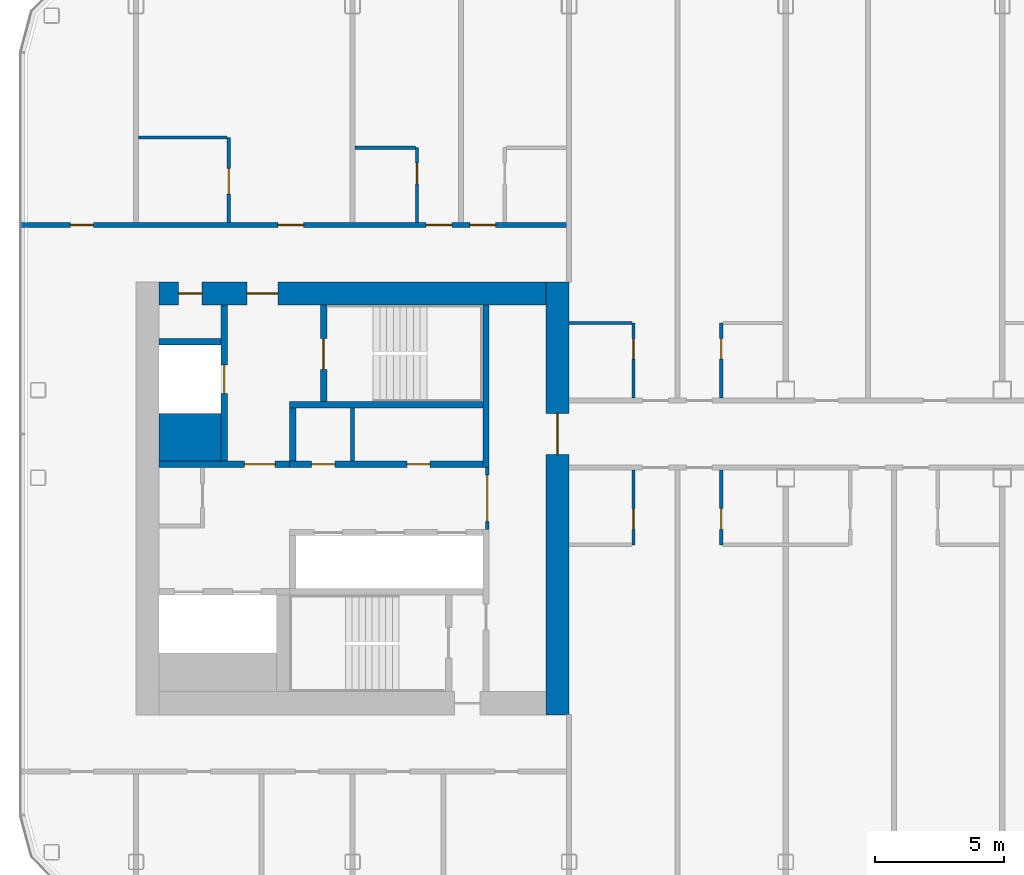
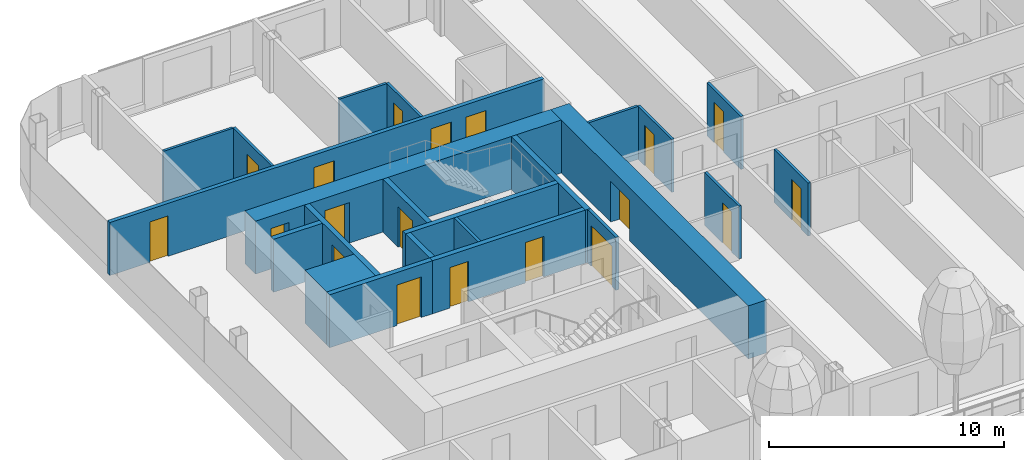
# One storey, part 12 of 29: 23 walls, 19 doors, 19 openings.
"""IFC4 building model written with IfcOpenShell, lengths in metres."""

import ifcopenshell
import ifcopenshell.guid

model = None  # the IFC model being written
_history = None  # IfcOwnerHistory: only IFC2X3 demands one
_inside = {}  # id of a spatial element -> (the spatial element, [elements in it])
_under = {}  # id of a project, library or spatial element -> (it, [spatial elements below it])
_declared = {}  # id of a project -> (the project, [libraries it declares])
_typed = {}  # id of a type object -> (the type object, [elements of that type])
_made_of = {}  # id of a material, layer set ... -> (it, [elements and type objects made of it])


def new_model(schema):
    """Start an empty IFC model of exactly this schema.

    Asked for "IFC4X3", IfcOpenShell would pick the latest addendum, in which some entities
    have other attributes; the version numbers below select the first issue.
    IFC2X3 requires an IfcOwnerHistory on every rooted entity: one is made here for all.
    """
    global model, _history
    if schema == "IFC4X3":
        model = ifcopenshell.file(schema_version=(4, 3, 0, 0))
    else:
        model = ifcopenshell.file(schema=schema)
    _inside.clear()
    _under.clear()
    _declared.clear()
    _typed.clear()
    _made_of.clear()
    _history = None
    if model.schema == "IFC2X3":
        org = make("IfcOrganization", Name="unknown")
        user = make(
            "IfcPersonAndOrganization",
            ThePerson=make("IfcPerson", FamilyName="unknown"),
            TheOrganization=org,
        )
        app = make(
            "IfcApplication",
            ApplicationDeveloper=org,
            Version="unknown",
            ApplicationFullName="unknown",
            ApplicationIdentifier="unknown",
        )
        _history = make(
            "IfcOwnerHistory",
            OwningUser=user,
            OwningApplication=app,
            ChangeAction="ADDED",
            CreationDate=0,
        )
    return model


def make(cls, **values):
    """One entity of the class cls with the attributes given. An attribute that is None is left unset."""
    return model.create_entity(
        cls, **{name: value for name, value in values.items() if value is not None}
    )


def rooted(cls, **values):
    """An entity with a GlobalId (a new one), such as an element, a storey or a relation."""
    return make(cls, GlobalId=ifcopenshell.guid.new(), OwnerHistory=_history, **values)


def si_unit(unit_type, name, prefix=None):
    """IfcSIUnit, for example si_unit("LENGTHUNIT", "METRE", prefix="MILLI")."""
    return make("IfcSIUnit", UnitType=unit_type, Prefix=prefix, Name=name)


def assignment(units):
    """IfcUnitAssignment: the units of a project."""
    return None if units is None else make("IfcUnitAssignment", Units=units)


def point(xyz):
    """IfcCartesianPoint."""
    return None if xyz is None else make("IfcCartesianPoint", Coordinates=xyz)


def direction(xyz):
    """IfcDirection."""
    return None if xyz is None else make("IfcDirection", DirectionRatios=xyz)


def frame(location, z_axis=None, x_axis=None):
    """IfcAxis2Placement3D, a coordinate frame: its origin and axes. An axis left out is left unset."""
    return make(
        "IfcAxis2Placement3D",
        Location=point(location),
        Axis=direction(z_axis),
        RefDirection=direction(x_axis),
    )


def frame_2d(location, x_axis=None):
    """IfcAxis2Placement2D, a coordinate frame in the plane: its origin and x axis."""
    return make(
        "IfcAxis2Placement2D", Location=point(location), RefDirection=direction(x_axis)
    )


def origin():
    """The frame at (0, 0, 0) with its axes left unset."""
    return frame((0.0, 0.0, 0.0))


def place(relative_to, where):
    """IfcLocalPlacement: puts the frame where relative to a parent placement (None: the world)."""
    return make(
        "IfcLocalPlacement", PlacementRelTo=relative_to, RelativePlacement=where
    )


def context(
    kind, dimensions, precision=None, world=None, true_north=None, identifier=None
):
    """IfcGeometricRepresentationContext, for example the 3D "Model" context."""
    return make(
        "IfcGeometricRepresentationContext",
        ContextIdentifier=identifier,
        ContextType=kind,
        CoordinateSpaceDimension=dimensions,
        Precision=precision,
        WorldCoordinateSystem=world,
        TrueNorth=true_north,
    )


def subcontext(parent, identifier, kind, view, scale=None):
    """IfcGeometricRepresentationSubContext, for example "Body" below "Model"."""
    return make(
        "IfcGeometricRepresentationSubContext",
        ContextIdentifier=identifier,
        ContextType=kind,
        ParentContext=parent,
        TargetScale=scale,
        TargetView=view,
    )


def project(units=None, contexts=None):
    """IfcProject with its units and contexts."""
    return rooted(
        "IfcProject",
        Name="project",
        RepresentationContexts=contexts,
        UnitsInContext=assignment(units),
    )


def spatial(cls, under=None, at=None, **own):
    """A site, building, storey or space (cls), placed at a placement, below another one or the project."""
    s = rooted(cls, ObjectPlacement=at, **own)
    if under is not None:
        _under.setdefault(under.id(), (under, []))[1].append(s)
    return s


def profile(cls, at=None, kind="AREA", **sizes):
    """A parametric profile (cls). Its sizes go by their IFC names, for example OverallWidth=200.0."""
    return make(cls, ProfileType=kind, Position=at, **sizes)


def rectangle(**sizes):
    """IfcRectangleProfileDef."""
    return profile("IfcRectangleProfileDef", **sizes)


def extrude(swept, where, along, depth):
    """IfcExtrudedAreaSolid: the profile swept, set in the frame where, extruded along a direction by depth."""
    return make(
        "IfcExtrudedAreaSolid",
        SweptArea=swept,
        Position=where,
        ExtrudedDirection=direction(along),
        Depth=depth,
    )


def shape(context_of_items, identifier, shape_type, items):
    """IfcShapeRepresentation: the items that make up one representation, for example the "Body"."""
    return make(
        "IfcShapeRepresentation",
        ContextOfItems=context_of_items,
        RepresentationIdentifier=identifier,
        RepresentationType=shape_type,
        Items=items,
    )


def material(Name=None, Category=None):
    """IfcMaterial."""
    return make("IfcMaterial", Name=Name, Category=Category)


def layer(
    of_material, thickness, ventilated=None, Name=None, Category=None, Priority=None
):
    """IfcMaterialLayer: one layer of a wall or slab, of a material (None: an air gap)."""
    return make(
        "IfcMaterialLayer",
        Material=of_material,
        LayerThickness=thickness,
        IsVentilated=ventilated,
        Name=Name,
        Category=Category,
        Priority=Priority,
    )


def layer_set(layers, Name=None):
    """IfcMaterialLayerSet."""
    return make("IfcMaterialLayerSet", MaterialLayers=layers, LayerSetName=Name)


def made_of(thing, what):
    """Note that an element or type object is made of a material, layer set ...; save() writes the relation."""
    if what is not None:
        _made_of.setdefault(what.id(), (what, []))[1].append(thing)
    return thing


def type_object(cls, material=None, **own):
    """A type object (cls), such as IfcWallType, which elements share."""
    return made_of(rooted(cls, **own), material)


def element(
    cls,
    number,
    at=None,
    inside=None,
    cuts=None,
    type_object=None,
    material=None,
    context=None,
    identifier="Body",
    shape_type=None,
    held_by="IfcProductDefinitionShape",
    body=None,
    shapes=None,
    **own,
):
    """One element of the class cls, such as IfcWall. Its Tag is "e" and its number.

    at: its placement. inside: the storey or other place that contains it. cuts: it is an
    opening in that element (IfcRelVoidsElement). A single representation is given by context,
    identifier, shape_type and body (its items); several are given by shapes. held_by: the class
    of the entity that holds the representations. save() writes the other relations.
    """
    e = rooted(cls, Tag="e%d" % number, ObjectPlacement=at, **own)
    if body is not None:
        shapes = [shape(context, identifier, shape_type, body)]
    if shapes is not None:
        e.Representation = make(held_by, Representations=shapes)
    if inside is not None:
        _inside.setdefault(inside.id(), (inside, []))[1].append(e)
    if cuts is not None:
        rooted(
            "IfcRelVoidsElement", RelatingBuildingElement=cuts, RelatedOpeningElement=e
        )
    if type_object is not None:
        _typed.setdefault(type_object.id(), (type_object, []))[1].append(e)
    return made_of(e, material)


def fill(opening, filler):
    """IfcRelFillsElement: the door or window that sits in an opening."""
    return rooted(
        "IfcRelFillsElement",
        RelatingOpeningElement=opening,
        RelatedBuildingElement=filler,
    )


def aggregate(whole, parts):
    """IfcRelAggregates: a whole, such as a stair, and the parts it consists of."""
    return rooted("IfcRelAggregates", RelatingObject=whole, RelatedObjects=parts)


def save(model, path):
    """Write the relations noted so far, then the file.

    IfcRelAggregates (storeys below a building ...), IfcRelContainedInSpatialStructure (elements
    in a storey), IfcRelDefinesByType, IfcRelAssociatesMaterial and IfcRelDeclares: one each for
    every whole, place, type object, material and project.
    """
    for whole, parts in _under.values():
        aggregate(whole, parts)
    for where, things in _inside.values():
        rooted(
            "IfcRelContainedInSpatialStructure",
            RelatedElements=things,
            RelatingStructure=where,
        )
    for kind, things in _typed.values():
        rooted("IfcRelDefinesByType", RelatedObjects=things, RelatingType=kind)
    for what, things in _made_of.values():
        rooted("IfcRelAssociatesMaterial", RelatedObjects=things, RelatingMaterial=what)
    for by, libraries in _declared.values():
        rooted("IfcRelDeclares", RelatingContext=by, RelatedDefinitions=libraries)
    model.write(path)


model = new_model("IFC4")

# Units and contexts
model_context = context("Model", 3, precision=1e-05, world=origin(), true_north=direction((0.0, 1.0)))
body_context = subcontext(model_context, "Body", "Model", "MODEL_VIEW")
ifc_project = project(units=[si_unit("LENGTHUNIT", "METRE"), si_unit("AREAUNIT", "SQUARE_METRE"), si_unit("VOLUMEUNIT", "CUBIC_METRE"), si_unit("PLANEANGLEUNIT", "RADIAN"), si_unit("MASSUNIT", "GRAM", prefix="KILO")], contexts=[model_context])

# Site, building, storey
site_placement = place(None, origin())
site = spatial("IfcSite", under=ifc_project, at=site_placement, CompositionType="ELEMENT")
building_placement = place(site_placement, origin())
building = spatial("IfcBuilding", under=site, at=building_placement, Name="Hakoniwa Tower and Hamabe Station Hall", CompositionType="ELEMENT")
storey_placement = place(building_placement, frame((0.0, 0.0, 205.800048828125)))
storey = spatial("IfcBuildingStorey", under=building, at=storey_placement, Name="L58", CompositionType="ELEMENT", Elevation=205.800048828125)

# Walls
ifc_material_1 = material(Name="Gypsum board partition", Category="gypsum")
ifc_layer_1 = layer(ifc_material_1, 0.125)
ifc_layer_set_1 = layer_set([ifc_layer_1], Name="Bathroom Partition 125")
wall_type_1 = type_object("IfcWallType", Name="Bathroom Partition 125", PredefinedType="PARTITIONING", material=ifc_layer_set_1)
wall_1_placement = place(storey_placement, frame((-16.81005859375, 6.800048828125, 0.0), z_axis=(0.0, 0.0, 1.0), x_axis=(1.0, 0.0, 0.0)))
element("IfcWall", 1, at=wall_1_placement, inside=storey, type_object=wall_type_1, Name="GW-L58-010", PredefinedType="PARTITIONING", context=body_context, shape_type="SweptSolid", body=[
    extrude(rectangle(XDim=2.447509765625, YDim=0.125, at=frame_2d((1.2236328125, 0.0))), origin(), (0.0, 0.0, 1.0), 2.75),
])
wall_2_placement = place(storey_placement, frame((-25.10009765625, 13.60009765625, 0.0), z_axis=(0.0, 0.0, 1.0), x_axis=(1.0, 0.0, 0.0)))
element("IfcWall", 2, at=wall_2_placement, inside=storey, type_object=wall_type_1, Name="GW-L58-017", PredefinedType="PARTITIONING", context=body_context, shape_type="SweptSolid", body=[
    extrude(rectangle(XDim=2.337646484375, YDim=0.125, at=frame_2d((1.1689453125, 0.0))), origin(), (0.0, 0.0, 1.0), 2.75),
])
wall_3_placement = place(storey_placement, frame((-33.5, 14.0, 0.0), z_axis=(0.0, 0.0, 1.0), x_axis=(1.0, 0.0, 0.0)))
element("IfcWall", 3, at=wall_3_placement, inside=storey, type_object=wall_type_1, Name="GW-L58-019", PredefinedType="PARTITIONING", context=body_context, shape_type="SweptSolid", body=[
    extrude(rectangle(XDim=3.4375, YDim=0.125, at=frame_2d((1.71875, 0.0))), origin(), (0.0, 0.0, 1.0), 2.75),
])

# Wall, opening, door
wall_4_placement = place(storey_placement, frame((-30.0, 10.699951171875, 0.0), z_axis=(0.0, 0.0, 1.0), x_axis=(0.0, 1.0, 0.0)))
wall_4 = element("IfcWall", 4, at=wall_4_placement, inside=storey, type_object=wall_type_1, Name="GW-L58-022", PredefinedType="PARTITIONING", context=body_context, shape_type="SweptSolid", body=[
    extrude(rectangle(XDim=3.300048828125, YDim=0.125, at=frame_2d((1.64990234375, 0.0))), origin(), (0.0, 0.0, 1.0), 2.75),
])
opening_1_placement = place(wall_4_placement, frame((1.10009765625, 0.0, 0.0)))
opening_1 = element("IfcOpeningElement", 5, at=opening_1_placement, cuts=wall_4, Name="Opening GD-G4B1-33", PredefinedType="OPENING", context=body_context, shape_type="SweptSolid", body=[
    extrude(rectangle(XDim=1.0, YDim=2.10009765625, at=frame_2d((0.5, 1.050048828125))), frame((0.0, 0.072509765625, 0.0), z_axis=(0.0, -1.0, 0.0), x_axis=(1.0, 0.0, 0.0)), (0.0, 0.0, 1.0), 0.14501953125),
])
ifc_material_2 = material(Name="Timber door leaf", Category="wood")
door_type_1 = type_object("IfcDoorType", Name="Accessible Bathroom Door 1000", OperationType="SINGLE_SWING_LEFT", PredefinedType="DOOR", material=ifc_material_2)
door_1_placement = place(opening_1_placement, origin())
door_1 = element("IfcDoor", 6, at=door_1_placement, inside=storey, type_object=door_type_1, Name="Door GD-G4B1-33", OperationType="SINGLE_SWING_RIGHT", OverallHeight=2.10009765625, OverallWidth=1.0, PredefinedType="DOOR", context=body_context, shape_type="SweptSolid", body=[
    extrude(rectangle(XDim=1.0, YDim=2.10009765625, at=frame_2d((0.5, 1.050048828125))), frame((0.0, 0.02490234375, 0.0), z_axis=(0.0, -1.0, 0.0), x_axis=(1.0, 0.0, 0.0)), (0.0, 0.0, 1.0), 0.050048828125),
])
fill(opening_1, door_1)

wall_5_placement = place(storey_placement, frame((-22.699951171875, 10.699951171875, 0.0), z_axis=(0.0, 0.0, 1.0), x_axis=(0.0, 1.0, 0.0)))
wall_5 = element("IfcWall", 7, at=wall_5_placement, inside=storey, type_object=wall_type_1, Name="GW-L58-026", PredefinedType="PARTITIONING", context=body_context, shape_type="SweptSolid", body=[
    extrude(rectangle(XDim=2.900146484375, YDim=0.125, at=frame_2d((1.4501953125, 0.0))), origin(), (0.0, 0.0, 1.0), 2.75),
])
opening_2_placement = place(wall_5_placement, frame((1.5, 0.0, 0.0)))
opening_2 = element("IfcOpeningElement", 8, at=opening_2_placement, cuts=wall_5, Name="Opening GD-G4B1-34", PredefinedType="OPENING", context=body_context, shape_type="SweptSolid", body=[
    extrude(rectangle(XDim=0.800048828125, YDim=2.10009765625, at=frame_2d((0.39990234375, 1.050048828125))), frame((0.0, 0.072509765625, 0.0), z_axis=(0.0, -1.0, 0.0), x_axis=(1.0, 0.0, 0.0)), (0.0, 0.0, 1.0), 0.14501953125),
])
ifc_material_3 = material(Name="Timber door leaf", Category="wood")
door_type_2 = type_object("IfcDoorType", Name="Bathroom Door 800", OperationType="SINGLE_SWING_LEFT", PredefinedType="DOOR", material=ifc_material_3)
door_2_placement = place(opening_2_placement, origin())
door_2 = element("IfcDoor", 9, at=door_2_placement, inside=storey, type_object=door_type_2, Name="Door GD-G4B1-34", OperationType="SINGLE_SWING_LEFT", OverallHeight=2.10009765625, OverallWidth=0.800048828125, PredefinedType="DOOR", context=body_context, shape_type="SweptSolid", body=[
    extrude(rectangle(XDim=0.800048828125, YDim=2.10009765625, at=frame_2d((0.39990234375, 1.050048828125))), frame((0.0, 0.02490234375, 0.0), z_axis=(0.0, -1.0, 0.0), x_axis=(1.0, 0.0, 0.0)), (0.0, 0.0, 1.0), 0.050048828125),
])
fill(opening_2, door_2)

wall_6_placement = place(storey_placement, frame((-14.300048828125, -1.800048828125, 0.0), z_axis=(0.0, 0.0, 1.0), x_axis=(0.0, 1.0, 0.0)))
wall_6 = element("IfcWall", 10, at=wall_6_placement, inside=storey, type_object=wall_type_1, Name="GW-L58-032", PredefinedType="PARTITIONING", context=body_context, shape_type="SweptSolid", body=[
    extrude(rectangle(XDim=2.900146484375, YDim=0.125, at=frame_2d((1.4501953125, 0.0))), origin(), (0.0, 0.0, 1.0), 2.75),
])
opening_3_placement = place(wall_6_placement, frame((0.60009765625, 0.0, 0.0)))
opening_3 = element("IfcOpeningElement", 11, at=opening_3_placement, cuts=wall_6, Name="Opening GD-G4B1-36", PredefinedType="OPENING", context=body_context, shape_type="SweptSolid", body=[
    extrude(rectangle(XDim=0.800048828125, YDim=2.10009765625, at=frame_2d((0.39990234375, 1.050048828125))), frame((0.0, 0.072509765625, 0.0), z_axis=(0.0, -1.0, 0.0), x_axis=(1.0, 0.0, 0.0)), (0.0, 0.0, 1.0), 0.14501953125),
])
door_3_placement = place(opening_3_placement, origin())
door_3 = element("IfcDoor", 12, at=door_3_placement, inside=storey, type_object=door_type_2, Name="Door GD-G4B1-36", OperationType="SINGLE_SWING_RIGHT", OverallHeight=2.10009765625, OverallWidth=0.800048828125, PredefinedType="DOOR", context=body_context, shape_type="SweptSolid", body=[
    extrude(rectangle(XDim=0.800048828125, YDim=2.10009765625, at=frame_2d((0.39990234375, 1.050048828125))), frame((0.0, 0.02490234375, 0.0), z_axis=(0.0, -1.0, 0.0), x_axis=(1.0, 0.0, 0.0)), (0.0, 0.0, 1.0), 0.050048828125),
])
fill(opening_3, door_3)

wall_7_placement = place(storey_placement, frame((-14.300048828125, 3.89990234375, 0.0), z_axis=(0.0, 0.0, 1.0), x_axis=(0.0, 1.0, 0.0)))
wall_7 = element("IfcWall", 13, at=wall_7_placement, inside=storey, type_object=wall_type_1, Name="GW-L58-033", PredefinedType="PARTITIONING", context=body_context, shape_type="SweptSolid", body=[
    extrude(rectangle(XDim=2.900146484375, YDim=0.125, at=frame_2d((1.4501953125, 0.0))), origin(), (0.0, 0.0, 1.0), 2.75),
])
opening_4_placement = place(wall_7_placement, frame((1.5, 0.0, 0.0)))
opening_4 = element("IfcOpeningElement", 14, at=opening_4_placement, cuts=wall_7, Name="Opening GD-G4B1-37", PredefinedType="OPENING", context=body_context, shape_type="SweptSolid", body=[
    extrude(rectangle(XDim=0.800048828125, YDim=2.10009765625, at=frame_2d((0.39990234375, 1.050048828125))), frame((0.0, 0.072509765625, 0.0), z_axis=(0.0, -1.0, 0.0), x_axis=(1.0, 0.0, 0.0)), (0.0, 0.0, 1.0), 0.14501953125),
])
door_4_placement = place(opening_4_placement, origin())
door_4 = element("IfcDoor", 15, at=door_4_placement, inside=storey, type_object=door_type_2, Name="Door GD-G4B1-37", OperationType="SINGLE_SWING_LEFT", OverallHeight=2.10009765625, OverallWidth=0.800048828125, PredefinedType="DOOR", context=body_context, shape_type="SweptSolid", body=[
    extrude(rectangle(XDim=0.800048828125, YDim=2.10009765625, at=frame_2d((0.39990234375, 1.050048828125))), frame((0.0, 0.02490234375, 0.0), z_axis=(0.0, -1.0, 0.0), x_axis=(1.0, 0.0, 0.0)), (0.0, 0.0, 1.0), 0.050048828125),
])
fill(opening_4, door_4)

wall_8_placement = place(storey_placement, frame((-10.89990234375, -1.800048828125, 0.0), z_axis=(0.0, 0.0, 1.0), x_axis=(0.0, 1.0, 0.0)))
wall_8 = element("IfcWall", 16, at=wall_8_placement, inside=storey, type_object=wall_type_1, Name="GW-L58-036", PredefinedType="PARTITIONING", context=body_context, shape_type="SweptSolid", body=[
    extrude(rectangle(XDim=2.900146484375, YDim=0.125, at=frame_2d((1.4501953125, 0.0))), origin(), (0.0, 0.0, 1.0), 2.75),
])
opening_5_placement = place(wall_8_placement, frame((0.60009765625, 0.0, 0.0)))
opening_5 = element("IfcOpeningElement", 17, at=opening_5_placement, cuts=wall_8, Name="Opening GD-G4B1-38", PredefinedType="OPENING", context=body_context, shape_type="SweptSolid", body=[
    extrude(rectangle(XDim=0.800048828125, YDim=2.10009765625, at=frame_2d((0.39990234375, 1.050048828125))), frame((0.0, 0.072509765625, 0.0), z_axis=(0.0, -1.0, 0.0), x_axis=(1.0, 0.0, 0.0)), (0.0, 0.0, 1.0), 0.14501953125),
])
door_5_placement = place(opening_5_placement, origin())
door_5 = element("IfcDoor", 18, at=door_5_placement, inside=storey, type_object=door_type_2, Name="Door GD-G4B1-38", OperationType="SINGLE_SWING_LEFT", OverallHeight=2.10009765625, OverallWidth=0.800048828125, PredefinedType="DOOR", context=body_context, shape_type="SweptSolid", body=[
    extrude(rectangle(XDim=0.800048828125, YDim=2.10009765625, at=frame_2d((0.39990234375, 1.050048828125))), frame((0.0, 0.02490234375, 0.0), z_axis=(0.0, -1.0, 0.0), x_axis=(1.0, 0.0, 0.0)), (0.0, 0.0, 1.0), 0.050048828125),
])
fill(opening_5, door_5)

wall_9_placement = place(storey_placement, frame((-10.89990234375, 3.89990234375, 0.0), z_axis=(0.0, 0.0, 1.0), x_axis=(0.0, 1.0, 0.0)))
wall_9 = element("IfcWall", 19, at=wall_9_placement, inside=storey, type_object=wall_type_1, Name="GW-L58-037", PredefinedType="PARTITIONING", context=body_context, shape_type="SweptSolid", body=[
    extrude(rectangle(XDim=2.900146484375, YDim=0.125, at=frame_2d((1.4501953125, 0.0))), origin(), (0.0, 0.0, 1.0), 2.75),
])
opening_6_placement = place(wall_9_placement, frame((1.5, 0.0, 0.0)))
opening_6 = element("IfcOpeningElement", 20, at=opening_6_placement, cuts=wall_9, Name="Opening GD-G4B1-39", PredefinedType="OPENING", context=body_context, shape_type="SweptSolid", body=[
    extrude(rectangle(XDim=0.800048828125, YDim=2.10009765625, at=frame_2d((0.39990234375, 1.050048828125))), frame((0.0, 0.072509765625, 0.0), z_axis=(0.0, -1.0, 0.0), x_axis=(1.0, 0.0, 0.0)), (0.0, 0.0, 1.0), 0.14501953125),
])
door_6_placement = place(opening_6_placement, origin())
door_6 = element("IfcDoor", 21, at=door_6_placement, inside=storey, type_object=door_type_2, Name="Door GD-G4B1-39", OperationType="SINGLE_SWING_RIGHT", OverallHeight=2.10009765625, OverallWidth=0.800048828125, PredefinedType="DOOR", context=body_context, shape_type="SweptSolid", body=[
    extrude(rectangle(XDim=0.800048828125, YDim=2.10009765625, at=frame_2d((0.39990234375, 1.050048828125))), frame((0.0, 0.02490234375, 0.0), z_axis=(0.0, -1.0, 0.0), x_axis=(1.0, 0.0, 0.0)), (0.0, 0.0, 1.0), 0.050048828125),
])
fill(opening_6, door_6)

ifc_material_4 = material(Name="Gypsum board partition")
ifc_layer_2 = layer(ifc_material_4, 0.14990234375)
ifc_layer_set_2 = layer_set([ifc_layer_2], Name="CORE PARTITION 150 EI 60")
wall_type_2 = type_object("IfcWallType", Name="CORE PARTITION 150 EI 60", PredefinedType="PARTITIONING", material=ifc_layer_set_2)
wall_10_placement = place(storey_placement, frame((-19.97509765625, -1.199951171875, 0.0), z_axis=(0.0, 0.0, 1.0), x_axis=(0.0, 1.0, 0.0)))
wall_10 = element("IfcWall", 22, at=wall_10_placement, inside=storey, type_object=wall_type_2, Name="Core partition PL0 west", PredefinedType="PARTITIONING", context=body_context, shape_type="SweptSolid", body=[
    extrude(rectangle(XDim=2.39990234375, YDim=0.14990234375, at=frame_2d((1.199951171875, 0.0))), origin(), (0.0, 0.0, 1.0), 2.75),
])
opening_7_placement = place(wall_10_placement, frame((0.300048828125, 0.0, 0.0)))
opening_7 = element("IfcOpeningElement", 23, at=opening_7_placement, cuts=wall_10, Name="Opening CD-W-LP0-18", PredefinedType="OPENING", context=body_context, shape_type="SweptSolid", body=[
    extrude(rectangle(XDim=1.800048828125, YDim=2.10009765625, at=frame_2d((0.89990234375, 1.050048828125))), frame((0.0, 0.0849609375, 0.0), z_axis=(0.0, -1.0, 0.0), x_axis=(1.0, 0.0, 0.0)), (0.0, 0.0, 1.0), 0.169921875),
])
ifc_material_5 = material(Name="Steel fire door", Category="steel")
door_type_3 = type_object("IfcDoorType", Name="CORE DOOR 1800 FD60", OperationType="DOUBLE_DOOR_SINGLE_SWING", PredefinedType="DOOR", material=ifc_material_5)
door_7_placement = place(opening_7_placement, origin())
door_7 = element("IfcDoor", 24, at=door_7_placement, inside=storey, type_object=door_type_3, Name="Lift lobby partition door", OperationType="DOUBLE_DOOR_SINGLE_SWING", OverallHeight=2.10009765625, OverallWidth=1.800048828125, PredefinedType="DOOR", context=body_context, shape_type="SweptSolid", body=[
    extrude(rectangle(XDim=1.800048828125, YDim=2.10009765625, at=frame_2d((0.89990234375, 1.050048828125))), frame((0.0, 0.02490234375, 0.0), z_axis=(0.0, -1.0, 0.0), x_axis=(1.0, 0.0, 0.0)), (0.0, 0.0, 1.0), 0.050048828125),
])
fill(opening_7, door_7)

# Wall
wall_11_placement = place(storey_placement, frame((-25.199951171875, 1.449951171875, 0.0), z_axis=(0.0, 0.0, 1.0), x_axis=(0.0, 1.0, 0.0)))
element("IfcWall", 25, at=wall_11_placement, inside=storey, type_object=wall_type_2, Name="Core partition PFLR0 west", PredefinedType="PARTITIONING", context=body_context, shape_type="SweptSolid", body=[
    extrude(rectangle(XDim=2.050048828125, YDim=0.14990234375, at=frame_2d((1.02490234375, 0.0))), origin(), (0.0, 0.0, 1.0), 2.75),
])

# Wall, opening, door
ifc_material_6 = material(Name="Concrete C60", Category="concrete")
ifc_layer_3 = layer(ifc_material_6, 0.89990234375)
ifc_layer_set_3 = layer_set([ifc_layer_3], Name="CORE WALL 900 C60")
wall_type_3 = type_object("IfcWallType", Name="CORE WALL 900 C60", PredefinedType="SHEAR", material=ifc_layer_set_3)
wall_12_placement = place(storey_placement, frame((-17.25, -8.39990234375, 0.0), z_axis=(0.0, 0.0, 1.0), x_axis=(0.0, 1.0, 0.0)))
wall_12 = element("IfcWall", 26, at=wall_12_placement, inside=storey, type_object=wall_type_3, Name="Core wall INNER west", PredefinedType="SHEAR", context=body_context, shape_type="SweptSolid", body=[
    extrude(rectangle(XDim=16.7998046875, YDim=0.89990234375, at=frame_2d((8.39990234375, 0.0))), origin(), (0.0, 0.0, 1.0), 2.75),
])
opening_8_placement = place(wall_12_placement, frame((10.10009765625, 0.0, 0.0)))
opening_8 = element("IfcOpeningElement", 27, at=opening_8_placement, cuts=wall_12, Name="Opening CD-W-IN1-16", PredefinedType="OPENING", context=body_context, shape_type="SweptSolid", body=[
    extrude(rectangle(XDim=1.60009765625, YDim=2.10009765625, at=frame_2d((0.800048828125, 1.050048828125))), frame((0.0, 0.4599609375, 0.0), z_axis=(0.0, -1.0, 0.0), x_axis=(1.0, 0.0, 0.0)), (0.0, 0.0, 1.0), 0.919921875),
])
ifc_material_7 = material(Name="Steel fire door", Category="steel")
door_type_4 = type_object("IfcDoorType", Name="CORE DOOR 1600 FD60", OperationType="DOUBLE_DOOR_SINGLE_SWING", PredefinedType="DOOR", material=ifc_material_7)
door_8_placement = place(opening_8_placement, origin())
door_8 = element("IfcDoor", 28, at=door_8_placement, inside=storey, type_object=door_type_4, Name="Lift lobby door", OperationType="DOUBLE_DOOR_SINGLE_SWING", OverallHeight=2.10009765625, OverallWidth=1.60009765625, PredefinedType="DOOR", context=body_context, shape_type="SweptSolid", body=[
    extrude(rectangle(XDim=1.60009765625, YDim=2.10009765625, at=frame_2d((0.800048828125, 1.050048828125))), frame((0.0, 0.02490234375, 0.0), z_axis=(0.0, -1.0, 0.0), x_axis=(1.0, 0.0, 0.0)), (0.0, 0.0, 1.0), 0.050048828125),
])
fill(opening_8, door_8)

# Wall, openings, doors
wall_13_placement = place(storey_placement, frame((-32.699951171875, 7.949951171875, 0.0), z_axis=(0.0, 0.0, 1.0), x_axis=(1.0, 0.0, 0.0)))
wall_13 = element("IfcWall", 29, at=wall_13_placement, inside=storey, type_object=wall_type_3, Name="Core wall NORTH west", PredefinedType="SHEAR", context=body_context, shape_type="SweptSolid", body=[
    extrude(rectangle(XDim=15.0, YDim=0.89990234375, at=frame_2d((7.5, 0.0))), origin(), (0.0, 0.0, 1.0), 2.75),
])
opening_9_placement = place(wall_13_placement, frame((3.39990234375, 0.0, 0.0)))
opening_9 = element("IfcOpeningElement", 30, at=opening_9_placement, cuts=wall_13, Name="Opening CD-W-FN1-12", PredefinedType="OPENING", context=body_context, shape_type="SweptSolid", body=[
    extrude(rectangle(XDim=1.199951171875, YDim=2.10009765625, at=frame_2d((0.60009765625, 1.050048828125))), frame((0.0, 0.4599609375, 0.0), z_axis=(0.0, -1.0, 0.0), x_axis=(1.0, 0.0, 0.0)), (0.0, 0.0, 1.0), 0.919921875),
])
opening_10_placement = place(wall_13_placement, frame((0.75, 0.0, 0.0)))
opening_10 = element("IfcOpeningElement", 31, at=opening_10_placement, cuts=wall_13, Name="Opening CD-W-FN2-9", PredefinedType="OPENING", context=body_context, shape_type="SweptSolid", body=[
    extrude(rectangle(XDim=0.89990234375, YDim=2.10009765625, at=frame_2d((0.449951171875, 1.050048828125))), frame((0.0, 0.4599609375, 0.0), z_axis=(0.0, -1.0, 0.0), x_axis=(1.0, 0.0, 0.0)), (0.0, 0.0, 1.0), 0.919921875),
])
ifc_material_8 = material(Name="Steel fire door", Category="steel")
door_type_5 = type_object("IfcDoorType", Name="CORE DOOR 1200 FD60", OperationType="DOUBLE_DOOR_SINGLE_SWING", PredefinedType="DOOR", material=ifc_material_8)
door_9_placement = place(opening_9_placement, origin())
door_9 = element("IfcDoor", 32, at=door_9_placement, inside=storey, type_object=door_type_5, Name="Stair vestibule door to the fire-fighting lobby", OperationType="DOUBLE_DOOR_SINGLE_SWING", OverallHeight=2.10009765625, OverallWidth=1.199951171875, PredefinedType="DOOR", context=body_context, shape_type="SweptSolid", body=[
    extrude(rectangle(XDim=1.199951171875, YDim=2.10009765625, at=frame_2d((0.60009765625, 1.050048828125))), frame((0.0, 0.02490234375, 0.0), z_axis=(0.0, -1.0, 0.0), x_axis=(1.0, 0.0, 0.0)), (0.0, 0.0, 1.0), 0.050048828125),
])
fill(opening_9, door_9)
ifc_material_9 = material(Name="Steel fire door", Category="steel")
door_type_6 = type_object("IfcDoorType", Name="CORE DOOR 900 FD30", OperationType="NOTDEFINED", PredefinedType="DOOR", material=ifc_material_9)
door_10_placement = place(opening_10_placement, origin())
door_10 = element("IfcDoor", 33, at=door_10_placement, inside=storey, type_object=door_type_6, Name="Riser access door", OperationType="SINGLE_SWING_RIGHT", OverallHeight=2.10009765625, OverallWidth=0.89990234375, PredefinedType="DOOR", context=body_context, shape_type="SweptSolid", body=[
    extrude(rectangle(XDim=0.89990234375, YDim=2.10009765625, at=frame_2d((0.449951171875, 1.050048828125))), frame((0.0, 0.02490234375, 0.0), z_axis=(0.0, -1.0, 0.0), x_axis=(1.0, 0.0, 0.0)), (0.0, 0.0, 1.0), 0.050048828125),
])
fill(opening_10, door_10)

# Walls
ifc_material_10 = material(Name="Concrete C60", Category="concrete")
ifc_layer_4 = layer(ifc_material_10, 1.85009765625)
ifc_layer_set_4 = layer_set([ifc_layer_4], Name="CORE WEB WALL 1850 C60")
wall_type_4 = type_object("IfcWallType", Name="CORE WEB WALL 1850 C60", PredefinedType="SHEAR", material=ifc_layer_set_4)
wall_14_placement = place(storey_placement, frame((-32.699951171875, 2.375, 0.0), z_axis=(0.0, 0.0, 1.0), x_axis=(1.0, 0.0, 0.0)))
element("IfcWall", 34, at=wall_14_placement, inside=storey, type_object=wall_type_4, Name="Core wall CA west", PredefinedType="SHEAR", context=body_context, shape_type="SweptSolid", body=[
    extrude(rectangle(XDim=2.39990234375, YDim=1.85009765625, at=frame_2d((1.199951171875, 0.0))), origin(), (0.0, 0.0, 1.0), 2.75),
])
ifc_material_11 = material(Name="Concrete C60", Category="concrete")
ifc_layer_5 = layer(ifc_material_11, 0.25)
ifc_layer_set_5 = layer_set([ifc_layer_5], Name="CORE WEB WALL 250 C60")
wall_type_5 = type_object("IfcWallType", Name="CORE WEB WALL 250 C60", PredefinedType="SHEAR", material=ifc_layer_set_5)
wall_15_placement = place(storey_placement, frame((-20.02490234375, 1.199951171875, 0.0), z_axis=(0.0, 0.0, 1.0), x_axis=(0.0, 1.0, 0.0)))
element("IfcWall", 35, at=wall_15_placement, inside=storey, type_object=wall_type_5, Name="Core wall W1N west", PredefinedType="SHEAR", context=body_context, shape_type="SweptSolid", body=[
    extrude(rectangle(XDim=6.300048828125, YDim=0.25, at=frame_2d((3.14990234375, 0.0))), origin(), (0.0, 0.0, 1.0), 2.75),
])

# Wall, openings, doors
wall_16_placement = place(storey_placement, frame((-27.64990234375, 1.324951171875, 0.0), z_axis=(0.0, 0.0, 1.0), x_axis=(1.0, 0.0, 0.0)))
wall_16 = element("IfcWall", 36, at=wall_16_placement, inside=storey, type_object=wall_type_5, Name="Core wall NF west", PredefinedType="SHEAR", context=body_context, shape_type="SweptSolid", body=[
    extrude(rectangle(XDim=7.5, YDim=0.25, at=frame_2d((3.75, 0.0))), origin(), (0.0, 0.0, 1.0), 2.75),
])
opening_11_placement = place(wall_16_placement, frame((4.5625, 0.0, 0.0)))
opening_11 = element("IfcOpeningElement", 37, at=opening_11_placement, cuts=wall_16, Name="Opening CD-W-FRLR0-9", PredefinedType="OPENING", context=body_context, shape_type="SweptSolid", body=[
    extrude(rectangle(XDim=0.89990234375, YDim=2.10009765625, at=frame_2d((0.449951171875, 1.050048828125))), frame((0.0, 0.135009765625, 0.0), z_axis=(0.0, -1.0, 0.0), x_axis=(1.0, 0.0, 0.0)), (0.0, 0.0, 1.0), 0.27001953125),
])
opening_12_placement = place(wall_16_placement, frame((0.862548828125, 0.0, 0.0)))
opening_12 = element("IfcOpeningElement", 38, at=opening_12_placement, cuts=wall_16, Name="Opening CD-W-FRLR1-9", PredefinedType="OPENING", context=body_context, shape_type="SweptSolid", body=[
    extrude(rectangle(XDim=0.89990234375, YDim=2.10009765625, at=frame_2d((0.449951171875, 1.050048828125))), frame((0.0, 0.135009765625, 0.0), z_axis=(0.0, -1.0, 0.0), x_axis=(1.0, 0.0, 0.0)), (0.0, 0.0, 1.0), 0.27001953125),
])
door_11_placement = place(opening_11_placement, origin())
door_11 = element("IfcDoor", 39, at=door_11_placement, inside=storey, type_object=door_type_6, Name="Store room door", OperationType="SINGLE_SWING_RIGHT", OverallHeight=2.10009765625, OverallWidth=0.89990234375, PredefinedType="DOOR", context=body_context, shape_type="SweptSolid", body=[
    extrude(rectangle(XDim=0.89990234375, YDim=2.10009765625, at=frame_2d((0.449951171875, 1.050048828125))), frame((0.0, 0.02490234375, 0.0), z_axis=(0.0, -1.0, 0.0), x_axis=(1.0, 0.0, 0.0)), (0.0, 0.0, 1.0), 0.050048828125),
])
fill(opening_11, door_11)
door_12_placement = place(opening_12_placement, origin())
door_12 = element("IfcDoor", 40, at=door_12_placement, inside=storey, type_object=door_type_6, Name="Store room door", OperationType="SINGLE_SWING_LEFT", OverallHeight=2.10009765625, OverallWidth=0.89990234375, PredefinedType="DOOR", context=body_context, shape_type="SweptSolid", body=[
    extrude(rectangle(XDim=0.89990234375, YDim=2.10009765625, at=frame_2d((0.449951171875, 1.050048828125))), frame((0.0, 0.02490234375, 0.0), z_axis=(0.0, -1.0, 0.0), x_axis=(1.0, 0.0, 0.0)), (0.0, 0.0, 1.0), 0.050048828125),
])
fill(opening_12, door_12)

# Walls
wall_17_placement = place(storey_placement, frame((-27.52490234375, 1.449951171875, 0.0), z_axis=(0.0, 0.0, 1.0), x_axis=(0.0, 1.0, 0.0)))
element("IfcWall", 41, at=wall_17_placement, inside=storey, type_object=wall_type_5, Name="Core wall NE west", PredefinedType="SHEAR", context=body_context, shape_type="SweptSolid", body=[
    extrude(rectangle(XDim=2.050048828125, YDim=0.25, at=frame_2d((1.02490234375, 0.0))), origin(), (0.0, 0.0, 1.0), 2.75),
])
wall_18_placement = place(storey_placement, frame((-27.64990234375, 3.625, 0.0), z_axis=(0.0, 0.0, 1.0), x_axis=(1.0, 0.0, 0.0)))
element("IfcWall", 42, at=wall_18_placement, inside=storey, type_object=wall_type_5, Name="Core wall NR west", PredefinedType="SHEAR", context=body_context, shape_type="SweptSolid", body=[
    extrude(rectangle(XDim=7.5, YDim=0.25, at=frame_2d((3.75, 0.0))), origin(), (0.0, 0.0, 1.0), 2.75),
])

# Wall, opening, door
wall_19_placement = place(storey_placement, frame((-26.324951171875, 3.75, 0.0), z_axis=(0.0, 0.0, 1.0), x_axis=(0.0, 1.0, 0.0)))
wall_19 = element("IfcWall", 43, at=wall_19_placement, inside=storey, type_object=wall_type_5, Name="Core wall NSE west", PredefinedType="SHEAR", context=body_context, shape_type="SweptSolid", body=[
    extrude(rectangle(XDim=3.75, YDim=0.25, at=frame_2d((1.875, 0.0))), origin(), (0.0, 0.0, 1.0), 2.75),
])
opening_13_placement = place(wall_19_placement, frame((1.25, 0.0, 0.0)))
opening_13 = element("IfcOpeningElement", 44, at=opening_13_placement, cuts=wall_19, Name="Opening CD-W-SN-12", PredefinedType="OPENING", context=body_context, shape_type="SweptSolid", body=[
    extrude(rectangle(XDim=1.199951171875, YDim=2.10009765625, at=frame_2d((0.60009765625, 1.050048828125))), frame((0.0, 0.135009765625, 0.0), z_axis=(0.0, -1.0, 0.0), x_axis=(1.0, 0.0, 0.0)), (0.0, 0.0, 1.0), 0.27001953125),
])
door_13_placement = place(opening_13_placement, origin())
door_13 = element("IfcDoor", 45, at=door_13_placement, inside=storey, type_object=door_type_5, Name="Escape stair door", OperationType="DOUBLE_DOOR_SINGLE_SWING", OverallHeight=2.10009765625, OverallWidth=1.199951171875, PredefinedType="DOOR", context=body_context, shape_type="SweptSolid", body=[
    extrude(rectangle(XDim=1.199951171875, YDim=2.10009765625, at=frame_2d((0.60009765625, 1.050048828125))), frame((0.0, 0.02490234375, 0.0), z_axis=(0.0, -1.0, 0.0), x_axis=(1.0, 0.0, 0.0)), (0.0, 0.0, 1.0), 0.050048828125),
])
fill(opening_13, door_13)

wall_20_placement = place(storey_placement, frame((-32.699951171875, 1.324951171875, 0.0), z_axis=(0.0, 0.0, 1.0), x_axis=(1.0, 0.0, 0.0)))
wall_20 = element("IfcWall", 46, at=wall_20_placement, inside=storey, type_object=wall_type_5, Name="Core wall ELN west", PredefinedType="SHEAR", context=body_context, shape_type="SweptSolid", body=[
    extrude(rectangle(XDim=5.050048828125, YDim=0.25, at=frame_2d((2.52490234375, 0.0))), origin(), (0.0, 0.0, 1.0), 2.75),
])
opening_14_placement = place(wall_20_placement, frame((3.300048828125, 0.0, 0.0)))
opening_14 = element("IfcOpeningElement", 47, at=opening_14_placement, cuts=wall_20, Name="Opening CD-W-FL-12", PredefinedType="OPENING", context=body_context, shape_type="SweptSolid", body=[
    extrude(rectangle(XDim=1.199951171875, YDim=2.10009765625, at=frame_2d((0.60009765625, 1.050048828125))), frame((0.0, 0.135009765625, 0.0), z_axis=(0.0, -1.0, 0.0), x_axis=(1.0, 0.0, 0.0)), (0.0, 0.0, 1.0), 0.27001953125),
])
door_14_placement = place(opening_14_placement, origin())
door_14 = element("IfcDoor", 48, at=door_14_placement, inside=storey, type_object=door_type_5, Name="Stair vestibule door to the fire-fighting lobby", OperationType="DOUBLE_DOOR_SINGLE_SWING", OverallHeight=2.10009765625, OverallWidth=1.199951171875, PredefinedType="DOOR", context=body_context, shape_type="SweptSolid", body=[
    extrude(rectangle(XDim=1.199951171875, YDim=2.10009765625, at=frame_2d((0.60009765625, 1.050048828125))), frame((0.0, 0.02490234375, 0.0), z_axis=(0.0, -1.0, 0.0), x_axis=(1.0, 0.0, 0.0)), (0.0, 0.0, 1.0), 0.050048828125),
])
fill(opening_14, door_14)

wall_21_placement = place(storey_placement, frame((-30.175048828125, 1.449951171875, 0.0), z_axis=(0.0, 0.0, 1.0), x_axis=(0.0, 1.0, 0.0)))
wall_21 = element("IfcWall", 49, at=wall_21_placement, inside=storey, type_object=wall_type_5, Name="Core wall FFF west", PredefinedType="SHEAR", context=body_context, shape_type="SweptSolid", body=[
    extrude(rectangle(XDim=6.050048828125, YDim=0.25, at=frame_2d((3.02490234375, 0.0))), origin(), (0.0, 0.0, 1.0), 2.75),
])
opening_15_placement = place(wall_21_placement, frame((2.625, 0.0, 0.0)))
opening_15 = element("IfcOpeningElement", 50, at=opening_15_placement, cuts=wall_21, Name="Opening LD-FF1", PredefinedType="OPENING", context=body_context, shape_type="SweptSolid", body=[
    extrude(rectangle(XDim=1.10009765625, YDim=2.10009765625, at=frame_2d((0.550048828125, 1.050048828125))), frame((0.0, 0.135009765625, 0.0), z_axis=(0.0, -1.0, 0.0), x_axis=(1.0, 0.0, 0.0)), (0.0, 0.0, 1.0), 0.27001953125),
])
ifc_material_12 = material(Name="Stainless steel SUS304", Category="steel")
door_type_7 = type_object("IfcDoorType", Name="LIFT LANDING DOOR 1100 FD60", OperationType="DOUBLE_DOOR_SLIDING", PredefinedType="DOOR", material=ifc_material_12)
door_15_placement = place(opening_15_placement, origin())
door_15 = element("IfcDoor", 51, at=door_15_placement, inside=storey, type_object=door_type_7, Name="Lift landing door FF1 L58", OperationType="DOUBLE_DOOR_SLIDING", OverallHeight=2.10009765625, OverallWidth=1.10009765625, PredefinedType="DOOR", context=body_context, shape_type="SweptSolid", body=[
    extrude(rectangle(XDim=1.10009765625, YDim=2.10009765625, at=frame_2d((0.550048828125, 1.050048828125))), frame((0.0, 0.02490234375, 0.0), z_axis=(0.0, -1.0, 0.0), x_axis=(1.0, 0.0, 0.0)), (0.0, 0.0, 1.0), 0.050048828125),
])
fill(opening_15, door_15)

# Wall
wall_22_placement = place(storey_placement, frame((-32.699951171875, 6.074951171875, 0.0), z_axis=(0.0, 0.0, 1.0), x_axis=(1.0, 0.0, 0.0)))
element("IfcWall", 52, at=wall_22_placement, inside=storey, type_object=wall_type_5, Name="Core wall C2 west", PredefinedType="SHEAR", context=body_context, shape_type="SweptSolid", body=[
    extrude(rectangle(XDim=2.39990234375, YDim=0.25, at=frame_2d((1.199951171875, 0.0))), origin(), (0.0, 0.0, 1.0), 2.75),
])

# Wall, openings, doors
ifc_material_13 = material(Name="Fire-rated gypsum board partition", Category="gypsum")
ifc_layer_6 = layer(ifc_material_13, 0.199951171875)
ifc_layer_set_6 = layer_set([ifc_layer_6], Name="Corridor Wall 200")
wall_type_6 = type_object("IfcWallType", Name="Corridor Wall 200", PredefinedType="PARTITIONING", material=ifc_layer_set_6)
wall_23_placement = place(storey_placement, frame((-38.10009765625, 10.60009765625, 0.0), z_axis=(0.0, 0.0, 1.0), x_axis=(1.0, 0.0, 0.0)))
wall_23 = element("IfcWall", 53, at=wall_23_placement, inside=storey, type_object=wall_type_6, Name="GW-L58-015", PredefinedType="PARTITIONING", context=body_context, shape_type="SweptSolid", body=[
    extrude(rectangle(XDim=21.300048828125, YDim=0.199951171875, at=frame_2d((10.64990234375, 0.0))), origin(), (0.0, 0.0, 1.0), 2.75),
])
opening_16_placement = place(wall_23_placement, frame((1.949951171875, 0.0, 0.0)))
opening_16 = element("IfcOpeningElement", 54, at=opening_16_placement, cuts=wall_23, Name="Opening GD-G4B1-26", PredefinedType="OPENING", context=body_context, shape_type="SweptSolid", body=[
    extrude(rectangle(XDim=0.89990234375, YDim=2.10009765625, at=frame_2d((0.449951171875, 1.050048828125))), frame((0.0, 0.10986328125, 0.0), z_axis=(0.0, -1.0, 0.0), x_axis=(1.0, 0.0, 0.0)), (0.0, 0.0, 1.0), 0.219970703125),
])
opening_17_placement = place(wall_23_placement, frame((10.0, 0.0, 0.0)))
opening_17 = element("IfcOpeningElement", 55, at=opening_17_placement, cuts=wall_23, Name="Opening GD-G4B1-27", PredefinedType="OPENING", context=body_context, shape_type="SweptSolid", body=[
    extrude(rectangle(XDim=1.0, YDim=2.10009765625, at=frame_2d((0.5, 1.050048828125))), frame((0.0, 0.10986328125, 0.0), z_axis=(0.0, -1.0, 0.0), x_axis=(1.0, 0.0, 0.0)), (0.0, 0.0, 1.0), 0.219970703125),
])
opening_18_placement = place(wall_23_placement, frame((15.75, 0.0, 0.0)))
opening_18 = element("IfcOpeningElement", 56, at=opening_18_placement, cuts=wall_23, Name="Opening GD-G4B1-28", PredefinedType="OPENING", context=body_context, shape_type="SweptSolid", body=[
    extrude(rectangle(XDim=1.0, YDim=2.10009765625, at=frame_2d((0.5, 1.050048828125))), frame((0.0, 0.10986328125, 0.0), z_axis=(0.0, -1.0, 0.0), x_axis=(1.0, 0.0, 0.0)), (0.0, 0.0, 1.0), 0.219970703125),
])
opening_19_placement = place(wall_23_placement, frame((17.449951171875, 0.0, 0.0)))
opening_19 = element("IfcOpeningElement", 57, at=opening_19_placement, cuts=wall_23, Name="Opening GD-G4B1-29", PredefinedType="OPENING", context=body_context, shape_type="SweptSolid", body=[
    extrude(rectangle(XDim=1.0, YDim=2.10009765625, at=frame_2d((0.5, 1.050048828125))), frame((0.0, 0.10986328125, 0.0), z_axis=(0.0, -1.0, 0.0), x_axis=(1.0, 0.0, 0.0)), (0.0, 0.0, 1.0), 0.219970703125),
])
ifc_material_14 = material(Name="Timber door leaf", Category="wood")
door_type_8 = type_object("IfcDoorType", Name="Accessible Guest Entrance Door 1000", OperationType="SINGLE_SWING_LEFT", PredefinedType="DOOR", material=ifc_material_14)
door_16_placement = place(opening_17_placement, origin())
door_16 = element("IfcDoor", 58, at=door_16_placement, inside=storey, type_object=door_type_8, Name="Door GD-G4B1-27", OperationType="SINGLE_SWING_LEFT", OverallHeight=2.10009765625, OverallWidth=1.0, PredefinedType="DOOR", context=body_context, shape_type="SweptSolid", body=[
    extrude(rectangle(XDim=1.0, YDim=2.10009765625, at=frame_2d((0.5, 1.050048828125))), frame((0.0, 0.02490234375, 0.0), z_axis=(0.0, -1.0, 0.0), x_axis=(1.0, 0.0, 0.0)), (0.0, 0.0, 1.0), 0.050048828125),
])
fill(opening_17, door_16)
ifc_material_15 = material(Name="Timber door leaf", Category="wood")
door_type_9 = type_object("IfcDoorType", Name="Guest Entrance Door 1000", OperationType="SINGLE_SWING_LEFT", PredefinedType="DOOR", material=ifc_material_15)
door_17_placement = place(opening_18_placement, origin())
door_17 = element("IfcDoor", 59, at=door_17_placement, inside=storey, type_object=door_type_9, Name="Door GD-G4B1-28", OperationType="SINGLE_SWING_RIGHT", OverallHeight=2.10009765625, OverallWidth=1.0, PredefinedType="DOOR", context=body_context, shape_type="SweptSolid", body=[
    extrude(rectangle(XDim=1.0, YDim=2.10009765625, at=frame_2d((0.5, 1.050048828125))), frame((0.0, 0.02490234375, 0.0), z_axis=(0.0, -1.0, 0.0), x_axis=(1.0, 0.0, 0.0)), (0.0, 0.0, 1.0), 0.050048828125),
])
fill(opening_18, door_17)
door_18_placement = place(opening_19_placement, origin())
door_18 = element("IfcDoor", 60, at=door_18_placement, inside=storey, type_object=door_type_9, Name="Door GD-G4B1-29", OperationType="SINGLE_SWING_LEFT", OverallHeight=2.10009765625, OverallWidth=1.0, PredefinedType="DOOR", context=body_context, shape_type="SweptSolid", body=[
    extrude(rectangle(XDim=1.0, YDim=2.10009765625, at=frame_2d((0.5, 1.050048828125))), frame((0.0, 0.02490234375, 0.0), z_axis=(0.0, -1.0, 0.0), x_axis=(1.0, 0.0, 0.0)), (0.0, 0.0, 1.0), 0.050048828125),
])
fill(opening_19, door_18)
ifc_material_16 = material(Name="Timber door leaf", Category="wood")
door_type_10 = type_object("IfcDoorType", Name="Service Door 900", OperationType="SINGLE_SWING_LEFT", PredefinedType="DOOR", material=ifc_material_16)
door_19_placement = place(opening_16_placement, origin())
door_19 = element("IfcDoor", 61, at=door_19_placement, inside=storey, type_object=door_type_10, Name="Door GD-G4B1-26", OperationType="SINGLE_SWING_LEFT", OverallHeight=2.10009765625, OverallWidth=0.89990234375, PredefinedType="DOOR", context=body_context, shape_type="SweptSolid", body=[
    extrude(rectangle(XDim=0.89990234375, YDim=2.10009765625, at=frame_2d((0.449951171875, 1.050048828125))), frame((0.0, 0.02490234375, 0.0), z_axis=(0.0, -1.0, 0.0), x_axis=(1.0, 0.0, 0.0)), (0.0, 0.0, 1.0), 0.050048828125),
])
fill(opening_16, door_19)

save(model, "model.ifc")
